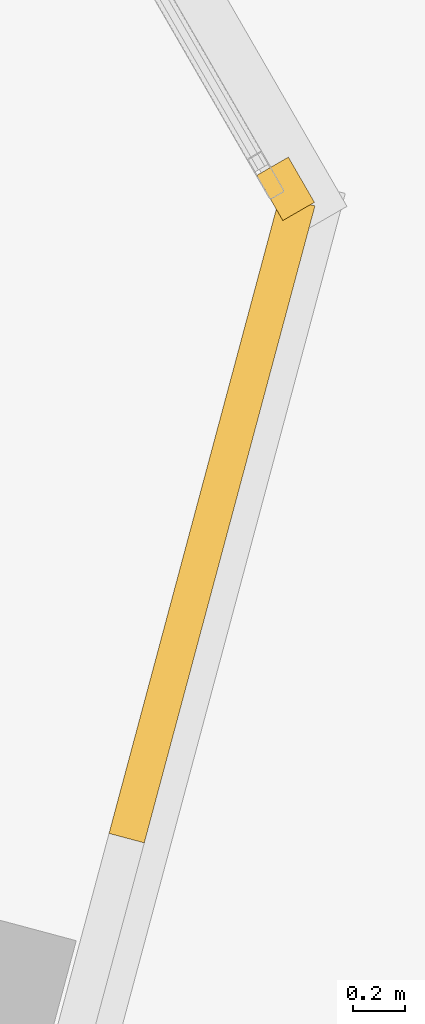
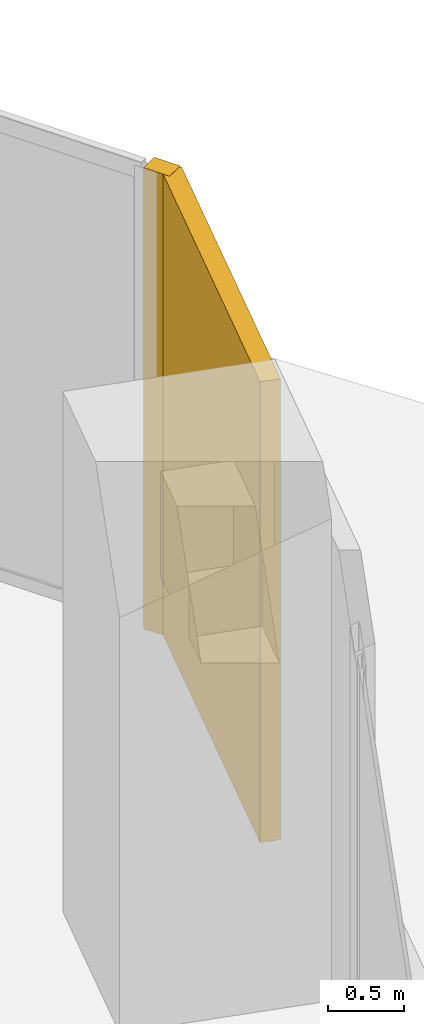
# One storey, part 26 of 26: 2 coverings.
"""IFC4 building model written with IfcOpenShell, lengths in metres."""

from ifc_helpers import new_model, si_unit, direction, frame, origin, origin_2d, place, context, subcontext, project, spatial, rectangle, extrude, source, transform, mapped, material, layer, layer_set, type_object, element, save


model = new_model("IFC4")

# Units and contexts
model_context = context("Model", 3, precision=1e-05, world=origin(), true_north=direction((0.0, 1.0)))
body_context = subcontext(model_context, "Body", "Model", "MODEL_VIEW")
ifc_project = project(units=[si_unit("LENGTHUNIT", "METRE"), si_unit("AREAUNIT", "SQUARE_METRE"), si_unit("VOLUMEUNIT", "CUBIC_METRE"), si_unit("PLANEANGLEUNIT", "RADIAN"), si_unit("MASSUNIT", "GRAM", prefix="KILO")], contexts=[model_context])

# Site, building, storey
site_placement = place(None, origin())
site = spatial("IfcSite", under=ifc_project, at=site_placement, CompositionType="ELEMENT")
building_placement = place(site_placement, origin())
building = spatial("IfcBuilding", under=site, at=building_placement, Name="Torre Montelarca", CompositionType="ELEMENT")
storey_placement = place(building_placement, frame((0.0, 0.0, 100.0)))
storey = spatial("IfcBuildingStorey", under=building, at=storey_placement, Name="L22", CompositionType="ELEMENT", Elevation=100.0)

# Coverings
ifc_material = material(Name="Bush-hammered warm white precast concrete C45/55", Category="concrete")
ifc_layer = layer(ifc_material, 0.139892578125, Name="Bush-hammered warm white precast concrete C45/55", Category="concrete")
ifc_layer_set = layer_set([ifc_layer], Name="Bush-hammered warm white precast concrete C45/55")
covering_type = type_object("IfcCoveringType", Name="COV-TRAY-CLAD", PredefinedType="CLADDING", material=ifc_layer_set)
shared_shape_1 = source(origin(), body_context, "Body", "SweptSolid", [
    extrude(rectangle(XDim=0.199951171875, YDim=0.139892578125, at=origin_2d()), origin(), (0.0, 0.0, 1.0), 3.719970703125),
])
covering_1_placement = place(storey_placement, frame((62.44970703125, 33.1591796875, 0.0), z_axis=(0.0, 0.0, 1.0), x_axis=(-0.500007557478, 0.866021040428, 0.0)))
element("IfcCovering", 1, at=covering_1_placement, inside=storey, type_object=covering_type, Name="L22 Architectural Column Pier Cladding E07-1", PredefinedType="CLADDING", context=body_context, shape_type="MappedRepresentation", body=[
    mapped(shared_shape_1, transform((0.0, 0.0, 0.0), scale=1.0)),
])
shared_shape_2 = source(origin(), body_context, "Body", "SweptSolid", [
    extrude(rectangle(XDim=2.529052734375, YDim=0.139892578125, at=origin_2d()), origin(), (0.0, 0.0, 1.0), 3.719970703125),
])
covering_2_placement = place(storey_placement, frame((62.16748046875, 31.890380859375, 0.0), z_axis=(0.0, 0.0, 1.0), x_axis=(0.258819045103, 0.965925826289, 0.0)))
element("IfcCovering", 2, at=covering_2_placement, inside=storey, type_object=covering_type, Name="L22 Architectural Column Pier Cladding E06-4", PredefinedType="CLADDING", context=body_context, shape_type="MappedRepresentation", body=[
    mapped(shared_shape_2, transform((0.0, 0.0, 0.0), scale=1.0)),
])

save(model, "model.ifc")
